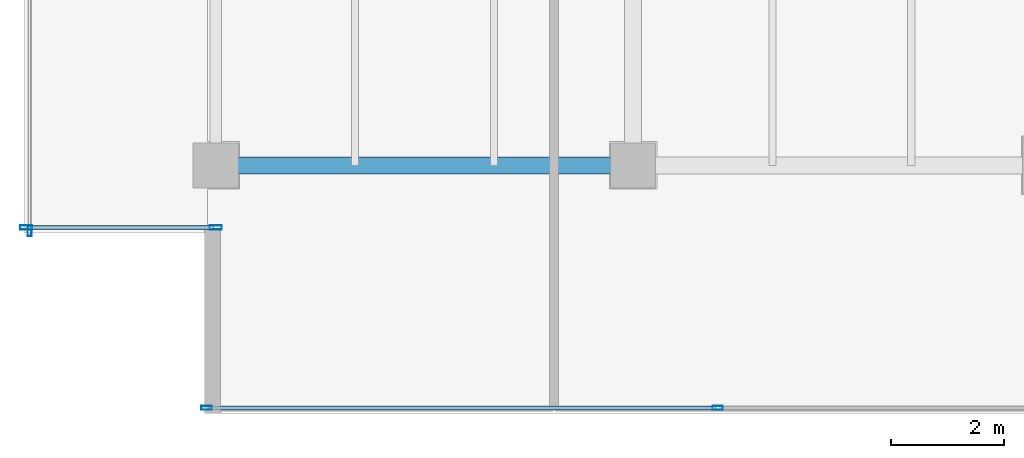
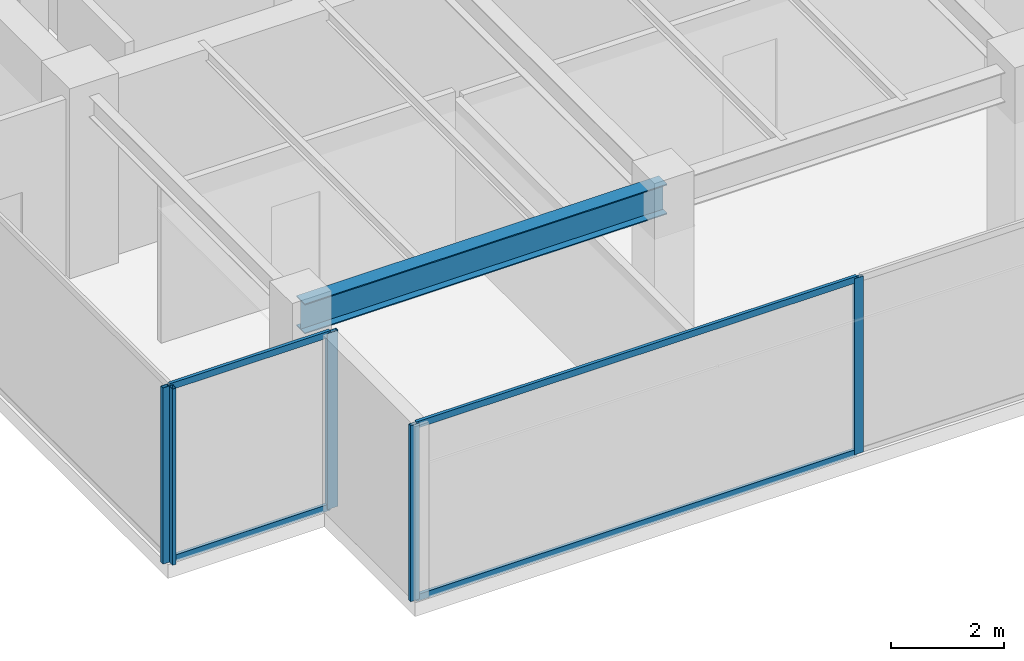
# One storey, part 5 of 36: 9 members, 1 beam, 3 elements without a shape of their own.
"""IFC4 building model written with IfcOpenShell, lengths in metres."""

from ifc_helpers import new_model, si_unit, direction, frame, origin, origin_2d, place, context, subcontext, project, spatial, hollow_rectangle, i_section, extrude, source, transform, mapped, material, layer, layer_set, material_profile, profile_set, type_object, type_shapes, element, aggregate, save


model = new_model("IFC4")

# Units and contexts
model_context = context("Model", 3, precision=1e-05, world=origin(), true_north=direction((0.0, 1.0)))
body_context = subcontext(model_context, "Body", "Model", "MODEL_VIEW")
ifc_project = project(units=[si_unit("LENGTHUNIT", "METRE"), si_unit("AREAUNIT", "SQUARE_METRE"), si_unit("VOLUMEUNIT", "CUBIC_METRE"), si_unit("PLANEANGLEUNIT", "RADIAN"), si_unit("MASSUNIT", "GRAM", prefix="KILO")], contexts=[model_context])

# Site, building, storey
site_placement = place(None, origin())
site = spatial("IfcSite", under=ifc_project, at=site_placement, CompositionType="ELEMENT")
building_placement = place(site_placement, origin())
building = spatial("IfcBuilding", under=site, at=building_placement, Name="Haelvirn Gate Laboratories", CompositionType="ELEMENT")
storey_placement = place(building_placement, frame((0.0, 0.0, 262.89990234375)))
storey = spatial("IfcBuildingStorey", under=building, at=storey_placement, Name="L63", CompositionType="ELEMENT", Elevation=262.89990234375)

# Beam
ifc_material_1 = material(Name="Steel SM355", Category="steel")
ifc_material_profile_1 = material_profile(ifc_material_1, i_section(OverallWidth=0.300048828125, OverallDepth=0.64990234375, WebThickness=0.012939453125, FlangeThickness=0.02197265625, at=origin_2d()), Name="H-650x300x13x22")
ifc_profile_set_1 = profile_set([ifc_material_profile_1], Name="Steel SM355")
beam_type = type_object("IfcBeamType", Name="BM-G-650", PredefinedType="BEAM", material=ifc_profile_set_1)
shared_shape_1 = source(origin(), body_context, "Body", "SweptSolid", [
    extrude(i_section(OverallWidth=0.300048828125, OverallDepth=0.64990234375, WebThickness=0.012939453125, FlangeThickness=0.02197265625, at=origin_2d()), origin(), (0.0, 0.0, 1.0), 7.400146484375),
])
type_shapes(beam_type, [shared_shape_1])
beam_placement = place(storey_placement, frame((7.39990234375, 7.0, 3.47509765625), z_axis=(1.0, 0.0, 0.0), x_axis=(0.0, 1.0, 0.0)))
element("IfcBeam", 1, at=beam_placement, inside=storey, type_object=beam_type, Name="L63 Primary Girder Y7.0 (7.4-14.8)", PredefinedType="BEAM", context=body_context, shape_type="MappedRepresentation", body=[
    mapped(shared_shape_1, transform((0.0, 0.0, 0.0), scale=1.0)),
])

# Curtain wall, members
ifc_material_2 = material(Name="Anodised bronze unitised aluminium & triple low-E glass", Category="aluminium")
ifc_layer_1 = layer(ifc_material_2, 0.181884765625, Name="CW-SYS-5")
ifc_layer_set_1 = layer_set([ifc_layer_1], Name="Anodised bronze unitised aluminium & triple low-E glass")
curtain_wall_type_1 = type_object("IfcCurtainWallType", Name="CW-SYS-5", PredefinedType="NOTDEFINED", material=ifc_layer_set_1)
curtain_wall_1_placement = place(storey_placement, origin())
curtain_wall_1 = element("IfcCurtainWall", 2, at=curtain_wall_1_placement, inside=storey, type_object=curtain_wall_type_1, Name="L63 Unitised Curtain Wall CW-L63-P0-E18-1", PredefinedType="NOTDEFINED")
ifc_material_3 = material(Name="Extruded aluminium 6063-T6 (anodised bronze)", Category="aluminium")
ifc_material_profile_2 = material_profile(ifc_material_3, hollow_rectangle(XDim=0.06494140625, YDim=0.139892578125, WallThickness=0.00390625, at=origin_2d()), Name="CWT-140x65x4")
ifc_profile_set_2 = profile_set([ifc_material_profile_2], Name="Extruded aluminium 6063-T6 (anodised bronze)")
member_type_1 = type_object("IfcMemberType", Name="CWT-T140", PredefinedType="USERDEFINED", material=ifc_profile_set_2)
shared_shape_2 = source(origin(), body_context, "Body", "SweptSolid", [
    extrude(hollow_rectangle(XDim=0.06494140625, YDim=0.139892578125, WallThickness=0.00390625, at=origin_2d()), origin(), (0.0, 0.0, 1.0), 3.280029296875),
])
member_1_placement = place(storey_placement, frame((4.080078125, 5.89990234375, 0.03271484375), z_axis=(1.0, 0.0, 0.0), x_axis=(0.0, 1.0, 0.0)))
member_1 = element("IfcMember", 3, at=member_1_placement, type_object=member_type_1, Name="CW5 transom 1.1", ObjectType="TRANSOM", PredefinedType="USERDEFINED", context=body_context, shape_type="MappedRepresentation", body=[
    mapped(shared_shape_2, transform((0.0, 0.0, 0.0), scale=1.0)),
])
member_2_placement = place(storey_placement, frame((4.080078125, 5.89990234375, 3.767578125), z_axis=(1.0, 0.0, 0.0), x_axis=(0.0, 1.0, 0.0)))
member_2 = element("IfcMember", 4, at=member_2_placement, type_object=member_type_1, Name="CW5 transom 1.2", ObjectType="TRANSOM", PredefinedType="USERDEFINED", context=body_context, shape_type="MappedRepresentation", body=[
    mapped(shared_shape_2, transform((0.0, 0.0, 0.0), scale=1.0)),
])

ifc_layer_2 = layer(ifc_material_2, 0.176025390625, Name="CW-SYS-4")
ifc_layer_set_2 = layer_set([ifc_layer_2], Name="Anodised bronze unitised aluminium & triple low-E glass")
curtain_wall_type_2 = type_object("IfcCurtainWallType", Name="CW-SYS-4", PredefinedType="NOTDEFINED", material=ifc_layer_set_2)
curtain_wall_2_placement = place(storey_placement, origin())
curtain_wall_2 = element("IfcCurtainWall", 5, at=curtain_wall_2_placement, inside=storey, type_object=curtain_wall_type_2, Name="L63 Unitised Curtain Wall CW-L63-P0-E00-1", PredefinedType="NOTDEFINED")
ifc_material_profile_3 = material_profile(ifc_material_3, hollow_rectangle(XDim=0.070068359375, YDim=0.179931640625, WallThickness=0.0048828125, at=origin_2d()), Name="CWM-180x70x5")
ifc_profile_set_3 = profile_set([ifc_material_profile_3], Name="Extruded aluminium 6063-T6 (anodised bronze)")
member_type_2 = type_object("IfcMemberType", Name="CWM-T180", PredefinedType="MULLION", material=ifc_profile_set_3)
shared_shape_3 = source(origin(), body_context, "Body", "SweptSolid", [
    extrude(hollow_rectangle(XDim=0.070068359375, YDim=0.179931640625, WallThickness=0.0048828125, at=origin_2d()), origin(), (0.0, 0.0, 1.0), 3.800048828125),
])
type_shapes(member_type_2, [shared_shape_3])
member_3_placement = place(storey_placement, frame((7.235107421875, 2.699951171875, 0.0), z_axis=(0.0, 0.0, 1.0), x_axis=(0.0, 1.0, 0.0)))
member_3 = element("IfcMember", 6, at=member_3_placement, type_object=member_type_2, Name="CW4 mullion 1", PredefinedType="MULLION", context=body_context, shape_type="MappedRepresentation", body=[
    mapped(shared_shape_3, transform((0.0, 0.0, 0.0), scale=1.0)),
])
member_4_placement = place(storey_placement, frame((16.300048828125, 2.699951171875, 0.0), z_axis=(0.0, 0.0, 1.0), x_axis=(0.0, 1.0, 0.0)))
member_4 = element("IfcMember", 7, at=member_4_placement, type_object=member_type_2, Name="CW4 mullion 2", PredefinedType="MULLION", context=body_context, shape_type="MappedRepresentation", body=[
    mapped(shared_shape_3, transform((0.0, 0.0, 0.0), scale=1.0)),
])

# Curtain wall, member
curtain_wall_3_placement = place(storey_placement, origin())
curtain_wall_3 = element("IfcCurtainWall", 8, at=curtain_wall_3_placement, inside=storey, type_object=curtain_wall_type_2, Name="L63 Unitised Curtain Wall CW-L63-P0-E17", PredefinedType="NOTDEFINED")
member_5_placement = place(storey_placement, frame((4.10009765625, 5.8349609375, 0.0), z_axis=(0.0, 0.0, 1.0), x_axis=(1.0, 0.0, 0.0)))
member_5 = element("IfcMember", 9, at=member_5_placement, type_object=member_type_2, Name="CW4 mullion 3", PredefinedType="MULLION", context=body_context, shape_type="MappedRepresentation", body=[
    mapped(shared_shape_3, transform((0.0, 0.0, 0.0), scale=1.0)),
])
aggregate(curtain_wall_3, [member_5])

# Member
shared_shape_4 = source(origin(), body_context, "Body", "SweptSolid", [
    extrude(hollow_rectangle(XDim=0.06494140625, YDim=0.139892578125, WallThickness=0.00390625, at=origin_2d()), origin(), (0.0, 0.0, 1.0), 8.994873046875),
])
type_shapes(member_type_1, [shared_shape_2, shared_shape_4])
member_6_placement = place(storey_placement, frame((7.27001953125, 2.699951171875, 0.03271484375), z_axis=(1.0, 0.0, 0.0), x_axis=(0.0, 1.0, 0.0)))
member_6 = element("IfcMember", 10, at=member_6_placement, type_object=member_type_1, Name="CW4 transom 1.1", ObjectType="TRANSOM", PredefinedType="USERDEFINED", context=body_context, shape_type="MappedRepresentation", body=[
    mapped(shared_shape_4, transform((0.0, 0.0, 0.0), scale=1.0)),
])

member_7_placement = place(storey_placement, frame((7.27001953125, 2.699951171875, 3.767578125), z_axis=(1.0, 0.0, 0.0), x_axis=(0.0, 1.0, 0.0)))
member_7 = element("IfcMember", 11, at=member_7_placement, type_object=member_type_1, Name="CW4 transom 1.2", ObjectType="TRANSOM", PredefinedType="USERDEFINED", context=body_context, shape_type="MappedRepresentation", body=[
    mapped(shared_shape_4, transform((0.0, 0.0, 0.0), scale=1.0)),
])

aggregate(curtain_wall_2, [member_3, member_4, member_6, member_7])

ifc_material_profile_4 = material_profile(ifc_material_3, hollow_rectangle(XDim=0.080078125, YDim=0.219970703125, WallThickness=0.006103515625, at=origin_2d()), Name="CWM-220x80x6")
ifc_profile_set_4 = profile_set([ifc_material_profile_4], Name="Extruded aluminium 6063-T6 (anodised bronze)")
member_type_3 = type_object("IfcMemberType", Name="CWM-T220", PredefinedType="MULLION", material=ifc_profile_set_4)
shared_shape_5 = source(origin(), body_context, "Body", "SweptSolid", [
    extrude(hollow_rectangle(XDim=0.080078125, YDim=0.219970703125, WallThickness=0.006103515625, at=origin_2d()), origin(), (0.0, 0.0, 1.0), 3.800048828125),
])
type_shapes(member_type_3, [shared_shape_5])
member_8_placement = place(storey_placement, frame((4.0400390625, 5.89990234375, 0.0), z_axis=(0.0, 0.0, 1.0), x_axis=(0.0, 1.0, 0.0)))
member_8 = element("IfcMember", 12, at=member_8_placement, type_object=member_type_3, Name="CW5 mullion 1", PredefinedType="MULLION", context=body_context, shape_type="MappedRepresentation", body=[
    mapped(shared_shape_5, transform((0.0, 0.0, 0.0), scale=1.0)),
])

member_9_placement = place(storey_placement, frame((7.39990234375, 5.89990234375, 0.0), z_axis=(0.0, 0.0, 1.0), x_axis=(0.0, 1.0, 0.0)))
member_9 = element("IfcMember", 13, at=member_9_placement, type_object=member_type_3, Name="CW5 mullion 2", PredefinedType="MULLION", context=body_context, shape_type="MappedRepresentation", body=[
    mapped(shared_shape_5, transform((0.0, 0.0, 0.0), scale=1.0)),
])

aggregate(curtain_wall_1, [member_8, member_9, member_1, member_2])

save(model, "model.ifc")
